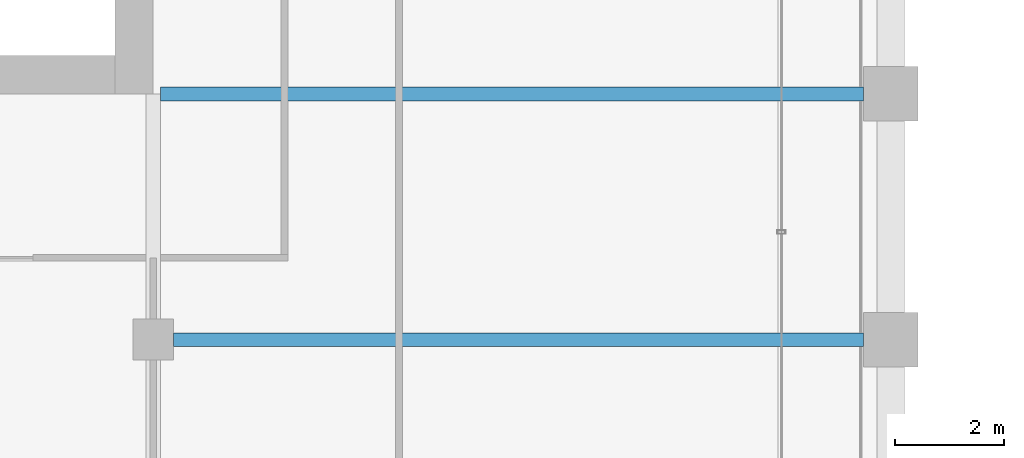
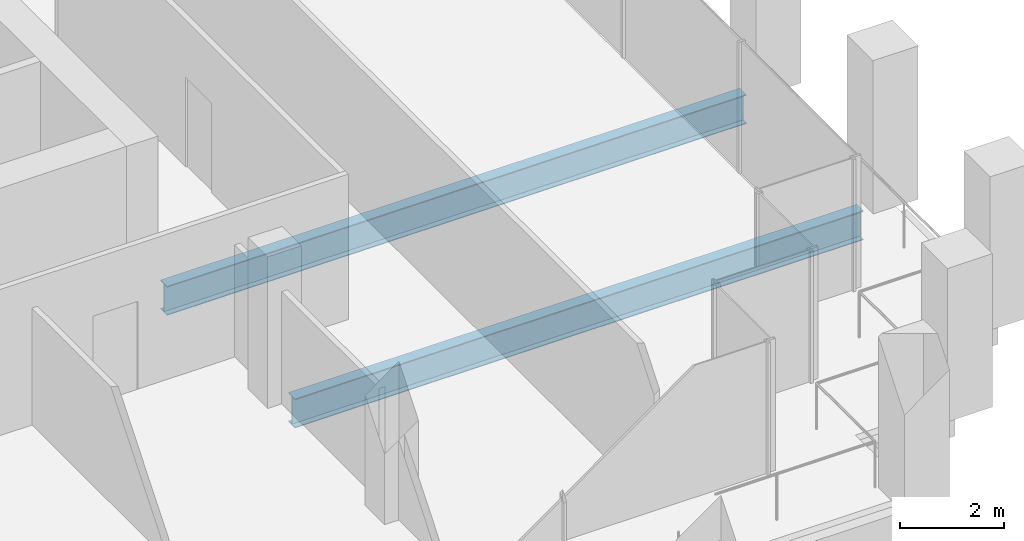
# One storey, part 14 of 46: 2 beams.
"""IFC4 building model written with IfcOpenShell, lengths in metres."""

from ifc_helpers import new_model, si_unit, direction, frame, origin, origin_2d, place, context, subcontext, project, spatial, i_section, extrude, material, material_profile, profile_set, type_object, element, save


model = new_model("IFC4")

# Units and contexts
model_context = context("Model", 3, precision=1e-05, world=origin(), true_north=direction((0.0, 1.0)))
body_context = subcontext(model_context, "Body", "Model", "MODEL_VIEW")
ifc_project = project(units=[si_unit("LENGTHUNIT", "METRE"), si_unit("AREAUNIT", "SQUARE_METRE"), si_unit("VOLUMEUNIT", "CUBIC_METRE"), si_unit("PLANEANGLEUNIT", "RADIAN"), si_unit("MASSUNIT", "GRAM", prefix="KILO")], contexts=[model_context])

# Site, building, storey
site_placement = place(None, origin())
site = spatial("IfcSite", under=ifc_project, at=site_placement, CompositionType="ELEMENT")
building_placement = place(site_placement, origin())
building = spatial("IfcBuilding", under=site, at=building_placement, Name="Altepetl Exchange Towers", CompositionType="ELEMENT")
storey_placement = place(building_placement, frame((0.0, 0.0, 102.800048828125)))
storey = spatial("IfcBuildingStorey", under=building, at=storey_placement, Name="L25", CompositionType="ELEMENT", Elevation=102.800048828125)

# Beams
ifc_material = material(Name="Steel S355", Category="steel")
ifc_material_profile = material_profile(ifc_material, i_section(OverallWidth=0.25390625, OverallDepth=0.68408203125, WebThickness=0.012451171875, FlangeThickness=0.018798828125, at=origin_2d()), Name="W27X94")
ifc_profile_set = profile_set([ifc_material_profile], Name="Steel S355")
beam_type = type_object("IfcBeamType", Name="Floor beam W27X94", PredefinedType="BEAM", material=ifc_profile_set)
beam_1_placement = place(storey_placement, frame((58.875, 36.0, -0.491943359375), z_axis=(1.0, 0.0, 0.0), x_axis=(0.0, 1.0, 0.0)))
element("IfcBeam", 1, at=beam_1_placement, inside=storey, type_object=beam_type, Name="bm:A:L25:007", PredefinedType="BEAM", context=body_context, shape_type="SweptSolid", body=[
    extrude(i_section(OverallWidth=0.25390625, OverallDepth=0.68408203125, WebThickness=0.012451171875, FlangeThickness=0.018798828125, at=origin_2d()), origin(), (0.0, 0.0, 1.0), 12.625),
])
beam_2_placement = place(storey_placement, frame((58.634033203125, 40.5, -0.491943359375), z_axis=(1.0, 0.0, 0.0), x_axis=(0.0, 1.0, 0.0)))
element("IfcBeam", 2, at=beam_2_placement, inside=storey, type_object=beam_type, Name="bm:A:L25:008", PredefinedType="BEAM", context=body_context, shape_type="SweptSolid", body=[
    extrude(i_section(OverallWidth=0.25390625, OverallDepth=0.68408203125, WebThickness=0.012451171875, FlangeThickness=0.018798828125, at=origin_2d()), origin(), (0.0, 0.0, 1.0), 12.865966796875),
])

save(model, "model.ifc")
